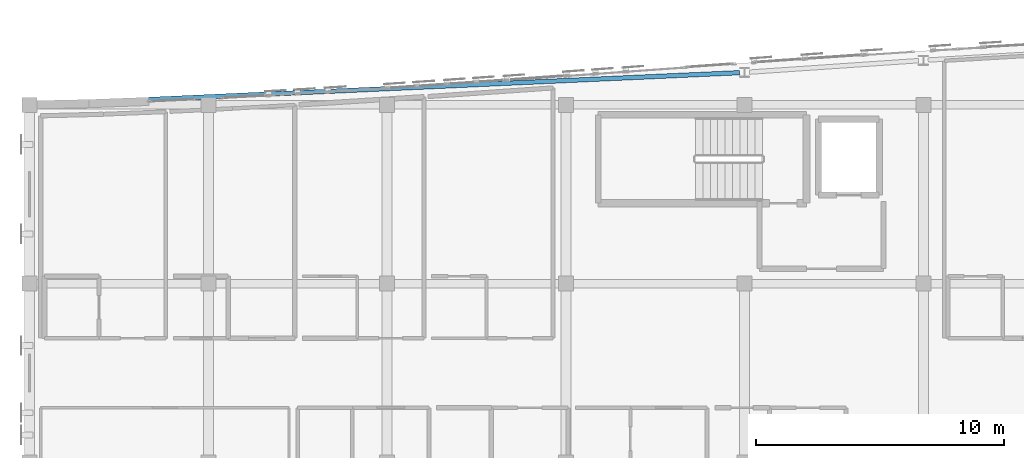
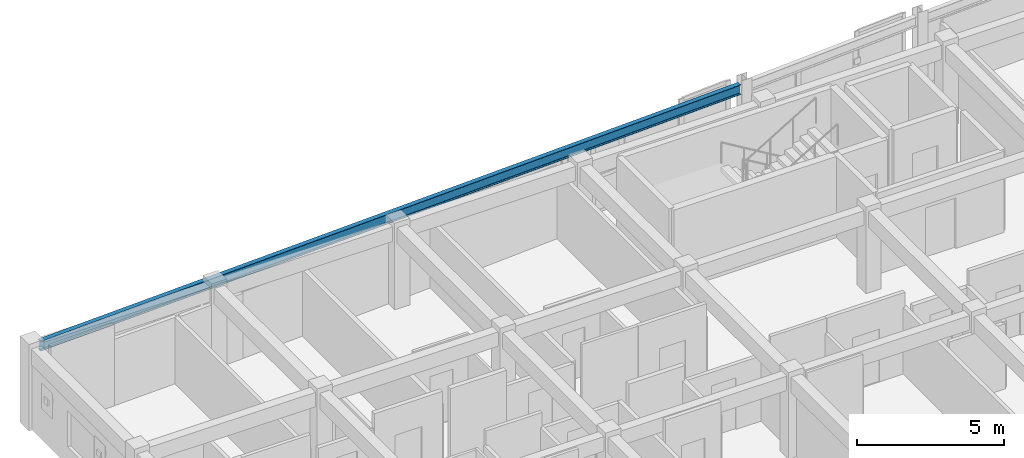
# One storey, part 6 of 41: 1 beam.
"""IFC4 building model written with IfcOpenShell, lengths in metres."""

from ifc_helpers import new_model, si_unit, direction, frame, origin, origin_2d, place, context, subcontext, project, spatial, i_section, extrude, material, material_profile, profile_set, type_object, element, save


model = new_model("IFC4")

# Units and contexts
model_context = context("Model", 3, precision=1e-05, world=origin(), true_north=direction((0.0, 1.0)))
body_context = subcontext(model_context, "Body", "Model", "MODEL_VIEW")
ifc_project = project(units=[si_unit("LENGTHUNIT", "METRE"), si_unit("AREAUNIT", "SQUARE_METRE"), si_unit("VOLUMEUNIT", "CUBIC_METRE"), si_unit("PLANEANGLEUNIT", "RADIAN"), si_unit("MASSUNIT", "GRAM", prefix="KILO")], contexts=[model_context])

# Site, building, storey
site_placement = place(None, origin())
site = spatial("IfcSite", under=ifc_project, at=site_placement, CompositionType="ELEMENT")
building_placement = place(site_placement, origin())
building = spatial("IfcBuilding", under=site, at=building_placement, Name="Carrowvane Square Congress Hotel", CompositionType="ELEMENT")
storey_placement = place(building_placement, frame((0.0, 0.0, 37.199951171875)))
storey = spatial("IfcBuildingStorey", under=building, at=storey_placement, Name="L09", CompositionType="ELEMENT", Elevation=37.199951171875)

# Beam
ifc_material = material(Name="Steel S355", Category="steel")
ifc_material_profile = material_profile(ifc_material, i_section(OverallWidth=0.1787109375, OverallDepth=0.409423828125, WebThickness=0.0087890625, FlangeThickness=0.014404296875, FilletRadius=0.01025390625, at=origin_2d()), Name="UKB 406x178x67")
ifc_profile_set = profile_set([ifc_material_profile], Name="Steel S355")
beam_type = type_object("IfcBeamType", Name="BM-ST-UKB406", PredefinedType="BEAM", material=ifc_profile_set)
beam_placement = place(storey_placement, frame((33.499755859375, 113.41357421875, 3.17529296875), z_axis=(0.99897342042, 0.04530016882, 0.0), x_axis=(-0.04530016882, 0.99897342042, 0.0)))
element("IfcBeam", 1, at=beam_placement, inside=storey, type_object=beam_type, Name="L10 curved north spandrel", PredefinedType="BEAM", context=body_context, shape_type="SweptSolid", body=[
    extrude(i_section(OverallWidth=0.1787109375, OverallDepth=0.409423828125, WebThickness=0.0087890625, FlangeThickness=0.014404296875, FilletRadius=0.01025390625, at=origin_2d()), origin(), (0.0, 0.0, 1.0), 28.33203125),
])

save(model, "model.ifc")
